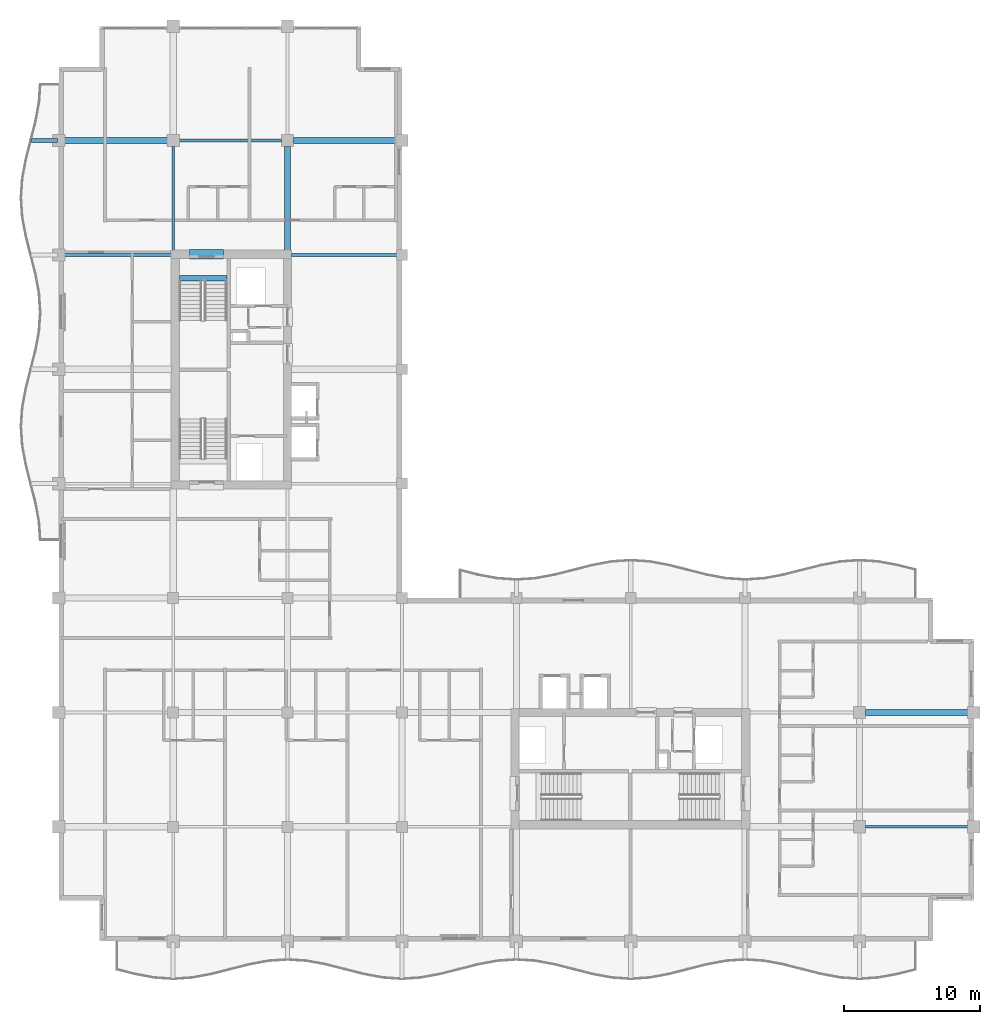
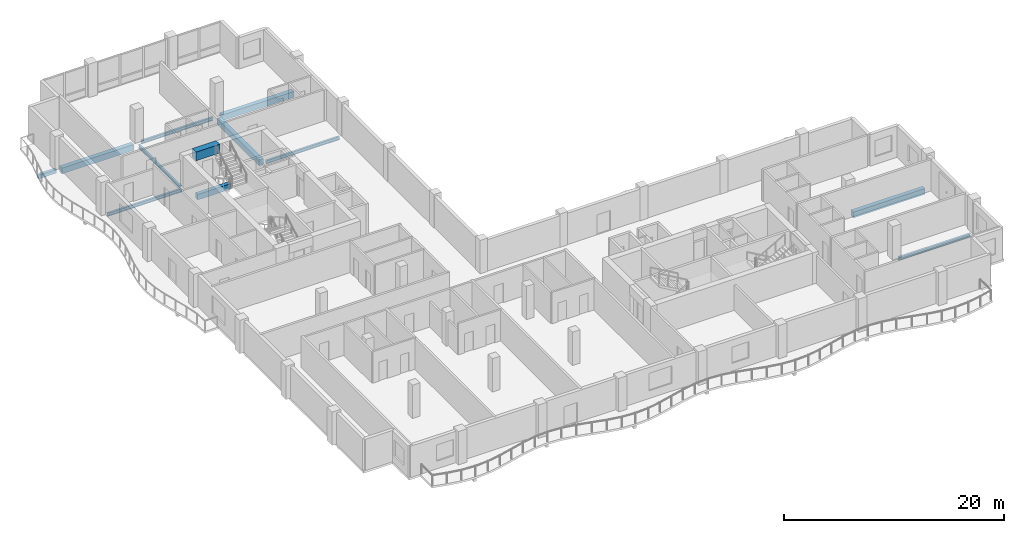
# One storey, part 2 of 17: 12 beams.
"""IFC4 building model written with IfcOpenShell, lengths in metres."""

from ifc_helpers import new_model, si_unit, direction, frame, origin, origin_2d, place, context, subcontext, project, spatial, rectangle, i_section, extrude, material, material_profile, profile_set, type_object, element, save


model = new_model("IFC4")

# Units and contexts
model_context = context("Model", 3, precision=1e-05, world=origin(), true_north=direction((0.0, 1.0)))
body_context = subcontext(model_context, "Body", "Model", "MODEL_VIEW")
ifc_project = project(units=[si_unit("LENGTHUNIT", "METRE"), si_unit("AREAUNIT", "SQUARE_METRE"), si_unit("VOLUMEUNIT", "CUBIC_METRE"), si_unit("PLANEANGLEUNIT", "RADIAN"), si_unit("MASSUNIT", "GRAM", prefix="KILO")], contexts=[model_context])

# Site, building, storey
site_placement = place(None, origin())
site = spatial("IfcSite", under=ifc_project, at=site_placement, CompositionType="ELEMENT")
building_placement = place(site_placement, origin())
building = spatial("IfcBuilding", under=site, at=building_placement, Name="Koriwani Terraces Tower", CompositionType="ELEMENT")
storey_placement = place(building_placement, frame((0.0, 0.0, 237.89990234375)))
storey = spatial("IfcBuildingStorey", under=building, at=storey_placement, Name="L58", CompositionType="ELEMENT", Elevation=237.89990234375)

# Beams
ifc_material_1 = material(Name="Concrete C40/50", Category="concrete")
ifc_material_profile_1 = material_profile(ifc_material_1, rectangle(XDim=0.300048828125, YDim=0.39990234375, at=origin_2d()), Name="Concrete C40/50", Category="LoadBearing")
ifc_profile_set_1 = profile_set([ifc_material_profile_1], Name="Concrete C40/50")
beam_type_1 = type_object("IfcBeamType", Name="BEAM_RC_BALCONY_RIB_300X400", PredefinedType="JOIST", material=ifc_profile_set_1)
beam_1_placement = place(storey_placement, frame((6.409912109375, 67.199951171875, -0.429931640625), z_axis=(1.0, 0.0, 0.0), x_axis=(0.0, 1.0, 0.0)))
element("IfcBeam", 1, at=beam_1_placement, inside=storey, type_object=beam_type_1, Name="L58 Balcony Bracket Rib W-4", PredefinedType="JOIST", context=body_context, shape_type="SweptSolid", body=[
    extrude(rectangle(XDim=0.300048828125, YDim=0.39990234375, at=origin_2d()), origin(), (0.0, 0.0, 1.0), 1.89013671875),
])
ifc_material_2 = material(Name="Concrete C60/75", Category="concrete")
ifc_material_profile_2 = material_profile(ifc_material_2, rectangle(XDim=0.699951171875, YDim=0.949951171875, at=origin_2d()), Name="Concrete C60/75", Category="LoadBearing")
ifc_profile_set_2 = profile_set([ifc_material_profile_2], Name="Concrete C60/75")
beam_type_2 = type_object("IfcBeamType", Name="BEAM_RC_COUPLING_700X950", PredefinedType="LINTEL", material=ifc_profile_set_2)
beam_2_placement = place(storey_placement, frame((18.0, 58.85009765625, 2.9951171875), z_axis=(1.0, 0.0, 0.0), x_axis=(0.0, 1.0, 0.0)))
element("IfcBeam", 2, at=beam_2_placement, inside=storey, type_object=beam_type_2, Name="L58 Core Coupling Lintel Beam WN", PredefinedType="LINTEL", context=body_context, shape_type="SweptSolid", body=[
    extrude(rectangle(XDim=0.699951171875, YDim=0.949951171875, at=origin_2d()), origin(), (0.0, 0.0, 1.0), 2.5),
])
ifc_material_profile_3 = material_profile(ifc_material_1, rectangle(XDim=0.39990234375, YDim=0.60009765625, at=origin_2d()), Name="Concrete C40/50", Category="LoadBearing")
ifc_profile_set_3 = profile_set([ifc_material_profile_3], Name="Concrete C40/50")
beam_type_3 = type_object("IfcBeamType", Name="BEAM_RC_GRID_400X600", PredefinedType="BEAM", material=ifc_profile_set_3)
beam_3_placement = place(storey_placement, frame((17.25, 57.094970703125, -0.2998046875), z_axis=(1.0, 0.0, 0.0), x_axis=(0.0, 1.0, 0.0)))
element("IfcBeam", 3, at=beam_3_placement, inside=storey, type_object=beam_type_3, Name="L58 Stairwell Header Trimmer Beam ST-W2", PredefinedType="BEAM", context=body_context, shape_type="SweptSolid", body=[
    extrude(rectangle(XDim=0.39990234375, YDim=0.60009765625, at=origin_2d()), origin(), (0.0, 0.0, 1.0), 3.5),
])
ifc_material_3 = material(Name="Concrete C50/60", Category="concrete")
ifc_material_profile_4 = material_profile(ifc_material_3, rectangle(XDim=0.449951171875, YDim=0.64990234375, at=origin_2d()), Name="Concrete C50/60", Category="LoadBearing")
ifc_profile_set_4 = profile_set([ifc_material_profile_4], Name="Concrete C50/60")
beam_type_4 = type_object("IfcBeamType", Name="BEAM_RC_GRID_450X650", PredefinedType="BEAM", material=ifc_profile_set_4)
for number, where, z_axis, x_axis, name in (
    (4, (67.6298828125, 25.199951171875, -0.554931640625), (1.0, 0.0, 0.0), (0.0, 1.0, 0.0), "L58 Grid Beam D (67.2-75.6m)"),
    (5, (8.830078125, 67.199951171875, -0.554931640625), (1.0, 0.0, 0.0), (0.0, 1.0, 0.0), "L58 Grid Beam I (8.4-16.8m)"),
    (6, (25.6298828125, 67.199951171875, -0.554931640625), (1.0, 0.0, 0.0), (0.0, 1.0, 0.0), "L58 Grid Beam I (25.2-33.6m)"),
):
    element("IfcBeam", number, at=place(storey_placement, frame(where, z_axis=z_axis, x_axis=x_axis)), inside=storey, type_object=beam_type_4, Name=name, PredefinedType="BEAM", context=body_context, shape_type="SweptSolid", body=[
        extrude(rectangle(XDim=0.449951171875, YDim=0.64990234375, at=origin_2d()), origin(), (0.0, 0.0, 1.0), 7.5400390625),
    ])
beam_4_placement = place(storey_placement, frame((25.199951171875, 59.1298828125, -0.554931640625), z_axis=(0.0, 1.0, 0.0), x_axis=(-1.0, 0.0, 0.0)))
element("IfcBeam", 7, at=beam_4_placement, inside=storey, type_object=beam_type_4, Name="L58 Grid Beam 4 (58.8-67.2m)", PredefinedType="BEAM", context=body_context, shape_type="SweptSolid", body=[
    extrude(rectangle(XDim=0.449951171875, YDim=0.64990234375, at=origin_2d()), origin(), (0.0, 0.0, 1.0), 7.64013671875),
])
ifc_material_4 = material(Name="Steel ASTM A572 Grade 50", Category="steel")
ifc_material_profile_5 = material_profile(ifc_material_4, i_section(OverallWidth=0.205078125, OverallDepth=0.35400390625, WebThickness=0.009521484375, FlangeThickness=0.016845703125, at=origin_2d()), Name="Steel ASTM A572 Grade 50", Category="LoadBearing")
ifc_profile_set_5 = profile_set([ifc_material_profile_5], Name="Steel ASTM A572 Grade 50")
beam_type_5 = type_object("IfcBeamType", Name="STEEL_BEAM_W360X79", PredefinedType="JOIST", material=ifc_profile_set_5)
beam_5_placement = place(storey_placement, frame((67.6298828125, 16.800048828125, -0.406982421875), z_axis=(1.0, 0.0, 0.0), x_axis=(0.0, 1.0, 0.0)))
element("IfcBeam", 8, at=beam_5_placement, inside=storey, type_object=beam_type_5, Name="L58 Grid Beam C (67.2-75.6m)", PredefinedType="JOIST", context=body_context, shape_type="SweptSolid", body=[
    extrude(i_section(OverallWidth=0.205078125, OverallDepth=0.35400390625, WebThickness=0.009521484375, FlangeThickness=0.016845703125, at=origin_2d()), origin(), (0.0, 0.0, 1.0), 7.5400390625),
])
beam_6_placement = place(storey_placement, frame((8.830078125, 58.800048828125, -0.406982421875), z_axis=(1.0, 0.0, 0.0), x_axis=(0.0, 1.0, 0.0)))
element("IfcBeam", 9, at=beam_6_placement, inside=storey, type_object=beam_type_5, Name="L58 Grid Beam H (8.4-16.8m)", PredefinedType="JOIST", context=body_context, shape_type="SweptSolid", body=[
    extrude(i_section(OverallWidth=0.205078125, OverallDepth=0.35400390625, WebThickness=0.009521484375, FlangeThickness=0.016845703125, at=origin_2d()), origin(), (0.0, 0.0, 1.0), 7.83984375),
])
beam_7_placement = place(storey_placement, frame((25.47998046875, 58.800048828125, -0.406982421875), z_axis=(1.0, 0.0, 0.0), x_axis=(0.0, 1.0, 0.0)))
element("IfcBeam", 10, at=beam_7_placement, inside=storey, type_object=beam_type_5, Name="L58 Grid Beam H (25.2-33.6m)", PredefinedType="JOIST", context=body_context, shape_type="SweptSolid", body=[
    extrude(i_section(OverallWidth=0.205078125, OverallDepth=0.35400390625, WebThickness=0.009521484375, FlangeThickness=0.016845703125, at=origin_2d()), origin(), (0.0, 0.0, 1.0), 7.739990234375),
])
beam_8_placement = place(storey_placement, frame((17.22998046875, 67.199951171875, -0.406982421875), z_axis=(1.0, 0.0, 0.0), x_axis=(0.0, 1.0, 0.0)))
element("IfcBeam", 11, at=beam_8_placement, inside=storey, type_object=beam_type_5, Name="L58 Grid Beam I (16.8-25.2m)", PredefinedType="JOIST", context=body_context, shape_type="SweptSolid", body=[
    extrude(i_section(OverallWidth=0.205078125, OverallDepth=0.35400390625, WebThickness=0.009521484375, FlangeThickness=0.016845703125, at=origin_2d()), origin(), (0.0, 0.0, 1.0), 7.5400390625),
])
beam_9_placement = place(storey_placement, frame((16.800048828125, 59.1298828125, -0.406982421875), z_axis=(0.0, 1.0, 0.0), x_axis=(-1.0, 0.0, 0.0)))
element("IfcBeam", 12, at=beam_9_placement, inside=storey, type_object=beam_type_5, Name="L58 Grid Beam 3 (58.8-67.2m)", PredefinedType="JOIST", context=body_context, shape_type="SweptSolid", body=[
    extrude(i_section(OverallWidth=0.205078125, OverallDepth=0.35400390625, WebThickness=0.009521484375, FlangeThickness=0.016845703125, at=origin_2d()), origin(), (0.0, 0.0, 1.0), 7.64013671875),
])

save(model, "model.ifc")
